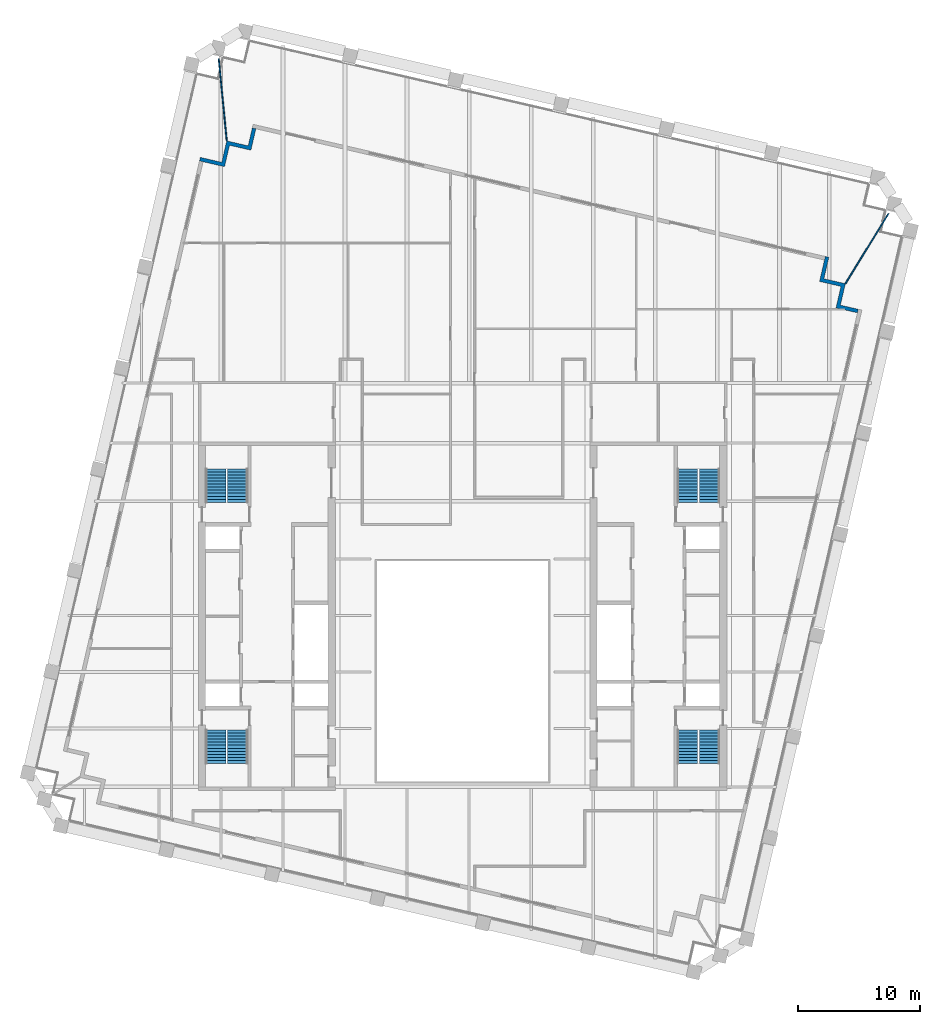
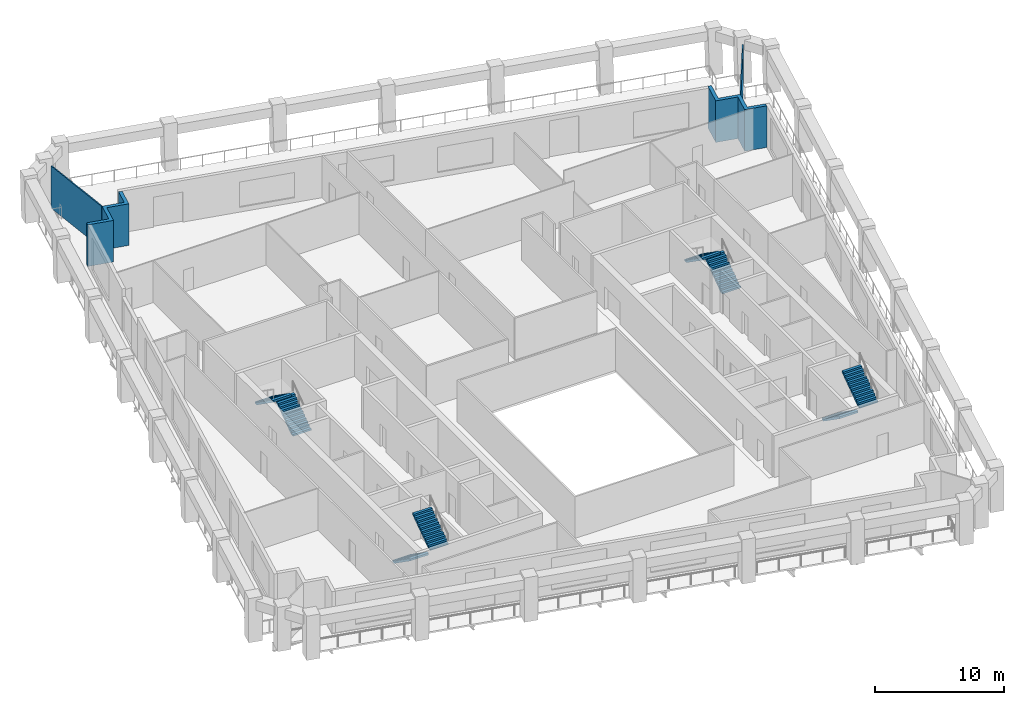
# One storey, part 8 of 10: 8 stair flights, 4 walls, 4 elements without a shape of their own.
"""IFC4 building model written with IfcOpenShell, lengths in metres."""

from ifc_helpers import new_model, si_unit, direction, frame, frame_2d, origin, place, context, subcontext, project, spatial, polyline, rectangle, outline, extrude, material, layer, layer_set, type_object, element, aggregate, save


model = new_model("IFC4")

# Units and contexts
model_context = context("Model", 3, precision=1e-05, world=origin(), true_north=direction((0.0, 1.0)))
body_context = subcontext(model_context, "Body", "Model", "MODEL_VIEW")
ifc_project = project(units=[si_unit("LENGTHUNIT", "METRE"), si_unit("AREAUNIT", "SQUARE_METRE"), si_unit("VOLUMEUNIT", "CUBIC_METRE"), si_unit("PLANEANGLEUNIT", "RADIAN"), si_unit("MASSUNIT", "GRAM", prefix="KILO")], contexts=[model_context])

# Site, building, storey
site_placement = place(None, origin())
site = spatial("IfcSite", under=ifc_project, at=site_placement, CompositionType="ELEMENT")
building_placement = place(site_placement, origin())
building = spatial("IfcBuilding", under=site, at=building_placement, Name="Ogive Exchange Tower", CompositionType="ELEMENT")
storey_placement = place(building_placement, frame((0.0, 0.0, 289.199951171875)))
storey = spatial("IfcBuildingStorey", under=building, at=storey_placement, Name="L63", CompositionType="ELEMENT", Elevation=289.199951171875)

# Walls
ifc_material_1 = material(Name="Precast concrete C40/50", Category="concrete")
ifc_layer_1 = layer(ifc_material_1, 0.300048828125)
ifc_layer_set_1 = layer_set([ifc_layer_1], Name="Limestone-faced wall 300")
wall_type_1 = type_object("IfcWallType", Name="Limestone-faced wall 300", PredefinedType="STANDARD", material=ifc_layer_set_1)
wall_1_placement = place(storey_placement, origin())
element("IfcWall", 1, at=wall_1_placement, inside=storey, type_object=wall_type_1, Name="External corner wall C2", PredefinedType="STANDARD", context=body_context, shape_type="SweptSolid", body=[
    extrude(outline(polyline([(30.931396484375, 38.453369140625), (29.177490234375, 38.8583984375), (29.64990234375, 40.904541015625), (29.942138671875, 40.8369140625), (29.537109375, 39.0830078125), (31.291015625, 38.67822265625), (30.88623046875, 36.92431640625), (32.34765625, 36.5869140625), (32.2802734375, 36.294677734375), (30.5263671875, 36.699462890625), (30.931396484375, 38.453369140625)])), origin(), (0.0, 0.0, 1.0), 3.949951171875),
])
wall_2_placement = place(storey_placement, origin())
element("IfcWall", 2, at=wall_2_placement, inside=storey, type_object=wall_type_1, Name="External corner wall C3", PredefinedType="STANDARD", context=body_context, shape_type="SweptSolid", body=[
    extrude(outline(polyline([(-21.5048828125, 48.7119140625), (-21.4375, 49.004150390625), (-19.68359375, 48.599365234375), (-19.27880859375, 50.353271484375), (-17.52490234375, 49.9482421875), (-17.1875, 51.409912109375), (-16.89501953125, 51.34228515625), (-17.300048828125, 49.58837890625), (-19.053955078125, 49.993408203125), (-19.458740234375, 48.239501953125), (-21.5048828125, 48.7119140625)])), origin(), (0.0, 0.0, 1.0), 3.949951171875),
])
ifc_material_2 = material(Name="Laminated safety glass in steel frame", Category="steel")
ifc_layer_2 = layer(ifc_material_2, 0.10009765625)
ifc_layer_set_2 = layer_set([ifc_layer_2], Name="Loggia end screen 100")
wall_type_2 = type_object("IfcWallType", Name="Loggia end screen 100", PredefinedType="STANDARD", material=ifc_layer_set_2)
wall_3_placement = place(storey_placement, frame((31.291015625, 38.67822265625, -0.050048828125), z_axis=(0.0, 0.0, 1.0), x_axis=(0.523490989538, 0.852031210621, 0.0)))
element("IfcWall", 3, at=wall_3_placement, inside=storey, type_object=wall_type_2, Name="Loggia end screen C2", PredefinedType="STANDARD", context=body_context, shape_type="SweptSolid", body=[
    extrude(rectangle(XDim=6.739990234375, YDim=0.10009765625, at=frame_2d((3.3701171875, 0.0))), origin(), (0.0, 0.0, 1.0), 4.0),
])
wall_4_placement = place(storey_placement, frame((-19.27880859375, 50.353271484375, -0.050048828125), z_axis=(0.0, 0.0, 1.0), x_axis=(-0.096971312153, 0.995287176959, 0.0)))
element("IfcWall", 4, at=wall_4_placement, inside=storey, type_object=wall_type_2, Name="Loggia end screen C3", PredefinedType="STANDARD", context=body_context, shape_type="SweptSolid", body=[
    extrude(rectangle(XDim=6.73974609375, YDim=0.10009765625, at=frame_2d((3.369873046875, 0.0))), origin(), (0.0, 0.0, 1.0), 4.0),
])

# Stair, stair flights
ifc_material_3 = material(Name="Concrete C40/50", Category="concrete")
stair_type = type_object("IfcStairType", Name="Exit stair 1650 wide", PredefinedType="HALF_TURN_STAIR", material=ifc_material_3)
stair_1_placement = place(storey_placement, origin())
stair_1 = element("IfcStair", 5, at=stair_1_placement, inside=storey, type_object=stair_type, Name="L63 exit stair ST1", PredefinedType="HALF_TURN_STAIR")
stair_flight_type = type_object("IfcStairFlightType", Name="Stair flight 1650 wide", PredefinedType="STRAIGHT", material=ifc_material_3)
stair_flight_1_placement = place(storey_placement, frame((-20.175048828125, 2.199951171875, 0.0), z_axis=(0.0, 0.0, 1.0), x_axis=(0.0, -1.0, 0.0)))
stair_flight_1 = element("IfcStairFlight", 6, at=stair_flight_1_placement, type_object=stair_flight_type, Name="ST1 flight 1", NumberOfRisers=12, NumberOfTreads=11, PredefinedType="STRAIGHT", RiserHeight=0.175, TreadLength=0.25, context=body_context, shape_type="SweptSolid", body=[
    extrude(outline(polyline([(0.0, 0.0), (0.0, 0.175048828125), (0.25, 0.175048828125), (0.25, 0.35009765625), (0.5, 0.35009765625), (0.5, 0.52490234375), (0.75, 0.52490234375), (0.75, 0.699951171875), (1.0, 0.699951171875), (1.0, 0.875), (1.25, 0.875), (1.25, 1.050048828125), (1.5, 1.050048828125), (1.5, 1.22509765625), (1.75, 1.22509765625), (1.75, 1.39990234375), (2.0, 1.39990234375), (2.0, 1.574951171875), (2.25, 1.574951171875), (2.25, 1.75), (2.5, 1.75), (2.5, 1.925048828125), (2.75, 1.925048828125), (2.75, 2.10009765625), (2.75, 1.741943359375), (0.261474609375, 0.0), (0.0, 0.0)])), frame((0.0, 0.824951171875, 0.0), z_axis=(0.0, -1.0, 0.0), x_axis=(1.0, 0.0, 0.0)), (0.0, 0.0, 1.0), 1.64990234375),
])
stair_flight_2_placement = place(storey_placement, frame((-18.375, -0.550048828125, 2.10009765625), z_axis=(0.0, 0.0, 1.0), x_axis=(0.0, 1.0, 0.0)))
stair_flight_2 = element("IfcStairFlight", 7, at=stair_flight_2_placement, type_object=stair_flight_type, Name="ST1 flight 2", NumberOfRisers=12, NumberOfTreads=11, PredefinedType="STRAIGHT", RiserHeight=0.175, TreadLength=0.25, context=body_context, shape_type="SweptSolid", body=[
    extrude(outline(polyline([(0.0, 0.0), (0.0, 0.175048828125), (0.25, 0.175048828125), (0.25, 0.35009765625), (0.5, 0.35009765625), (0.5, 0.52490234375), (0.75, 0.52490234375), (0.75, 0.699951171875), (1.0, 0.699951171875), (1.0, 0.875), (1.25, 0.875), (1.25, 1.050048828125), (1.5, 1.050048828125), (1.5, 1.22509765625), (1.75, 1.22509765625), (1.75, 1.39990234375), (2.0, 1.39990234375), (2.0, 1.574951171875), (2.25, 1.574951171875), (2.25, 1.75), (2.5, 1.75), (2.5, 1.925048828125), (2.75, 1.925048828125), (2.75, 2.10009765625), (2.75, 1.741943359375), (0.261474609375, 0.0), (0.0, 0.0)])), frame((0.0, 0.824951171875, 0.0), z_axis=(0.0, -1.0, 0.0), x_axis=(1.0, 0.0, 0.0)), (0.0, 0.0, 1.0), 1.64990234375),
])
aggregate(stair_1, [stair_flight_1, stair_flight_2])

stair_2_placement = place(storey_placement, origin())
stair_2 = element("IfcStair", 8, at=stair_2_placement, inside=storey, type_object=stair_type, Name="L63 exit stair ST2", PredefinedType="HALF_TURN_STAIR")
stair_flight_3_placement = place(storey_placement, frame((-18.375, 20.800048828125, 0.0), z_axis=(0.0, 0.0, 1.0), x_axis=(0.0, 1.0, 0.0)))
stair_flight_3 = element("IfcStairFlight", 9, at=stair_flight_3_placement, type_object=stair_flight_type, Name="ST2 flight 1", NumberOfRisers=12, NumberOfTreads=11, PredefinedType="STRAIGHT", RiserHeight=0.175, TreadLength=0.25, context=body_context, shape_type="SweptSolid", body=[
    extrude(outline(polyline([(0.0, 0.0), (0.0, 0.175048828125), (0.25, 0.175048828125), (0.25, 0.35009765625), (0.5, 0.35009765625), (0.5, 0.52490234375), (0.75, 0.52490234375), (0.75, 0.699951171875), (1.0, 0.699951171875), (1.0, 0.875), (1.25, 0.875), (1.25, 1.050048828125), (1.5, 1.050048828125), (1.5, 1.22509765625), (1.75, 1.22509765625), (1.75, 1.39990234375), (2.0, 1.39990234375), (2.0, 1.574951171875), (2.25, 1.574951171875), (2.25, 1.75), (2.5, 1.75), (2.5, 1.925048828125), (2.75, 1.925048828125), (2.75, 2.10009765625), (2.75, 1.741943359375), (0.261474609375, 0.0), (0.0, 0.0)])), frame((0.0, 0.824951171875, 0.0), z_axis=(0.0, -1.0, 0.0), x_axis=(1.0, 0.0, 0.0)), (0.0, 0.0, 1.0), 1.64990234375),
])
stair_flight_4_placement = place(storey_placement, frame((-20.175048828125, 23.550048828125, 2.10009765625), z_axis=(0.0, 0.0, 1.0), x_axis=(0.0, -1.0, 0.0)))
stair_flight_4 = element("IfcStairFlight", 10, at=stair_flight_4_placement, type_object=stair_flight_type, Name="ST2 flight 2", NumberOfRisers=12, NumberOfTreads=11, PredefinedType="STRAIGHT", RiserHeight=0.175, TreadLength=0.25, context=body_context, shape_type="SweptSolid", body=[
    extrude(outline(polyline([(0.0, 0.0), (0.0, 0.175048828125), (0.25, 0.175048828125), (0.25, 0.35009765625), (0.5, 0.35009765625), (0.5, 0.52490234375), (0.75, 0.52490234375), (0.75, 0.699951171875), (1.0, 0.699951171875), (1.0, 0.875), (1.25, 0.875), (1.25, 1.050048828125), (1.5, 1.050048828125), (1.5, 1.22509765625), (1.75, 1.22509765625), (1.75, 1.39990234375), (2.0, 1.39990234375), (2.0, 1.574951171875), (2.25, 1.574951171875), (2.25, 1.75), (2.5, 1.75), (2.5, 1.925048828125), (2.75, 1.925048828125), (2.75, 2.10009765625), (2.75, 1.741943359375), (0.261474609375, 0.0), (0.0, 0.0)])), frame((0.0, 0.824951171875, 0.0), z_axis=(0.0, -1.0, 0.0), x_axis=(1.0, 0.0, 0.0)), (0.0, 0.0, 1.0), 1.64990234375),
])
aggregate(stair_2, [stair_flight_3, stair_flight_4])

stair_3_placement = place(storey_placement, origin())
stair_3 = element("IfcStair", 11, at=stair_3_placement, inside=storey, type_object=stair_type, Name="L63 exit stair ST3", PredefinedType="HALF_TURN_STAIR")
stair_flight_5_placement = place(storey_placement, frame((18.375, 2.199951171875, 0.0), z_axis=(0.0, 0.0, 1.0), x_axis=(0.0, -1.0, 0.0)))
stair_flight_5 = element("IfcStairFlight", 12, at=stair_flight_5_placement, type_object=stair_flight_type, Name="ST3 flight 1", NumberOfRisers=12, NumberOfTreads=11, PredefinedType="STRAIGHT", RiserHeight=0.175, TreadLength=0.25, context=body_context, shape_type="SweptSolid", body=[
    extrude(outline(polyline([(0.0, 0.0), (0.0, 0.175048828125), (0.25, 0.175048828125), (0.25, 0.35009765625), (0.5, 0.35009765625), (0.5, 0.52490234375), (0.75, 0.52490234375), (0.75, 0.699951171875), (1.0, 0.699951171875), (1.0, 0.875), (1.25, 0.875), (1.25, 1.050048828125), (1.5, 1.050048828125), (1.5, 1.22509765625), (1.75, 1.22509765625), (1.75, 1.39990234375), (2.0, 1.39990234375), (2.0, 1.574951171875), (2.25, 1.574951171875), (2.25, 1.75), (2.5, 1.75), (2.5, 1.925048828125), (2.75, 1.925048828125), (2.75, 2.10009765625), (2.75, 1.741943359375), (0.261474609375, 0.0), (0.0, 0.0)])), frame((0.0, 0.824951171875, 0.0), z_axis=(0.0, -1.0, 0.0), x_axis=(1.0, 0.0, 0.0)), (0.0, 0.0, 1.0), 1.64990234375),
])
stair_flight_6_placement = place(storey_placement, frame((20.175048828125, -0.550048828125, 2.10009765625), z_axis=(0.0, 0.0, 1.0), x_axis=(0.0, 1.0, 0.0)))
stair_flight_6 = element("IfcStairFlight", 13, at=stair_flight_6_placement, type_object=stair_flight_type, Name="ST3 flight 2", NumberOfRisers=12, NumberOfTreads=11, PredefinedType="STRAIGHT", RiserHeight=0.175, TreadLength=0.25, context=body_context, shape_type="SweptSolid", body=[
    extrude(outline(polyline([(0.0, 0.0), (0.0, 0.175048828125), (0.25, 0.175048828125), (0.25, 0.35009765625), (0.5, 0.35009765625), (0.5, 0.52490234375), (0.75, 0.52490234375), (0.75, 0.699951171875), (1.0, 0.699951171875), (1.0, 0.875), (1.25, 0.875), (1.25, 1.050048828125), (1.5, 1.050048828125), (1.5, 1.22509765625), (1.75, 1.22509765625), (1.75, 1.39990234375), (2.0, 1.39990234375), (2.0, 1.574951171875), (2.25, 1.574951171875), (2.25, 1.75), (2.5, 1.75), (2.5, 1.925048828125), (2.75, 1.925048828125), (2.75, 2.10009765625), (2.75, 1.741943359375), (0.261474609375, 0.0), (0.0, 0.0)])), frame((0.0, 0.824951171875, 0.0), z_axis=(0.0, -1.0, 0.0), x_axis=(1.0, 0.0, 0.0)), (0.0, 0.0, 1.0), 1.64990234375),
])
aggregate(stair_3, [stair_flight_5, stair_flight_6])

stair_4_placement = place(storey_placement, origin())
stair_4 = element("IfcStair", 14, at=stair_4_placement, inside=storey, type_object=stair_type, Name="L63 exit stair ST4", PredefinedType="HALF_TURN_STAIR")
stair_flight_7_placement = place(storey_placement, frame((20.175048828125, 20.800048828125, 0.0), z_axis=(0.0, 0.0, 1.0), x_axis=(0.0, 1.0, 0.0)))
stair_flight_7 = element("IfcStairFlight", 15, at=stair_flight_7_placement, type_object=stair_flight_type, Name="ST4 flight 1", NumberOfRisers=12, NumberOfTreads=11, PredefinedType="STRAIGHT", RiserHeight=0.175, TreadLength=0.25, context=body_context, shape_type="SweptSolid", body=[
    extrude(outline(polyline([(0.0, 0.0), (0.0, 0.175048828125), (0.25, 0.175048828125), (0.25, 0.35009765625), (0.5, 0.35009765625), (0.5, 0.52490234375), (0.75, 0.52490234375), (0.75, 0.699951171875), (1.0, 0.699951171875), (1.0, 0.875), (1.25, 0.875), (1.25, 1.050048828125), (1.5, 1.050048828125), (1.5, 1.22509765625), (1.75, 1.22509765625), (1.75, 1.39990234375), (2.0, 1.39990234375), (2.0, 1.574951171875), (2.25, 1.574951171875), (2.25, 1.75), (2.5, 1.75), (2.5, 1.925048828125), (2.75, 1.925048828125), (2.75, 2.10009765625), (2.75, 1.741943359375), (0.261474609375, 0.0), (0.0, 0.0)])), frame((0.0, 0.824951171875, 0.0), z_axis=(0.0, -1.0, 0.0), x_axis=(1.0, 0.0, 0.0)), (0.0, 0.0, 1.0), 1.64990234375),
])
stair_flight_8_placement = place(storey_placement, frame((18.375, 23.550048828125, 2.10009765625), z_axis=(0.0, 0.0, 1.0), x_axis=(0.0, -1.0, 0.0)))
stair_flight_8 = element("IfcStairFlight", 16, at=stair_flight_8_placement, type_object=stair_flight_type, Name="ST4 flight 2", NumberOfRisers=12, NumberOfTreads=11, PredefinedType="STRAIGHT", RiserHeight=0.175, TreadLength=0.25, context=body_context, shape_type="SweptSolid", body=[
    extrude(outline(polyline([(0.0, 0.0), (0.0, 0.175048828125), (0.25, 0.175048828125), (0.25, 0.35009765625), (0.5, 0.35009765625), (0.5, 0.52490234375), (0.75, 0.52490234375), (0.75, 0.699951171875), (1.0, 0.699951171875), (1.0, 0.875), (1.25, 0.875), (1.25, 1.050048828125), (1.5, 1.050048828125), (1.5, 1.22509765625), (1.75, 1.22509765625), (1.75, 1.39990234375), (2.0, 1.39990234375), (2.0, 1.574951171875), (2.25, 1.574951171875), (2.25, 1.75), (2.5, 1.75), (2.5, 1.925048828125), (2.75, 1.925048828125), (2.75, 2.10009765625), (2.75, 1.741943359375), (0.261474609375, 0.0), (0.0, 0.0)])), frame((0.0, 0.824951171875, 0.0), z_axis=(0.0, -1.0, 0.0), x_axis=(1.0, 0.0, 0.0)), (0.0, 0.0, 1.0), 1.64990234375),
])
aggregate(stair_4, [stair_flight_7, stair_flight_8])

save(model, "model.ifc")
